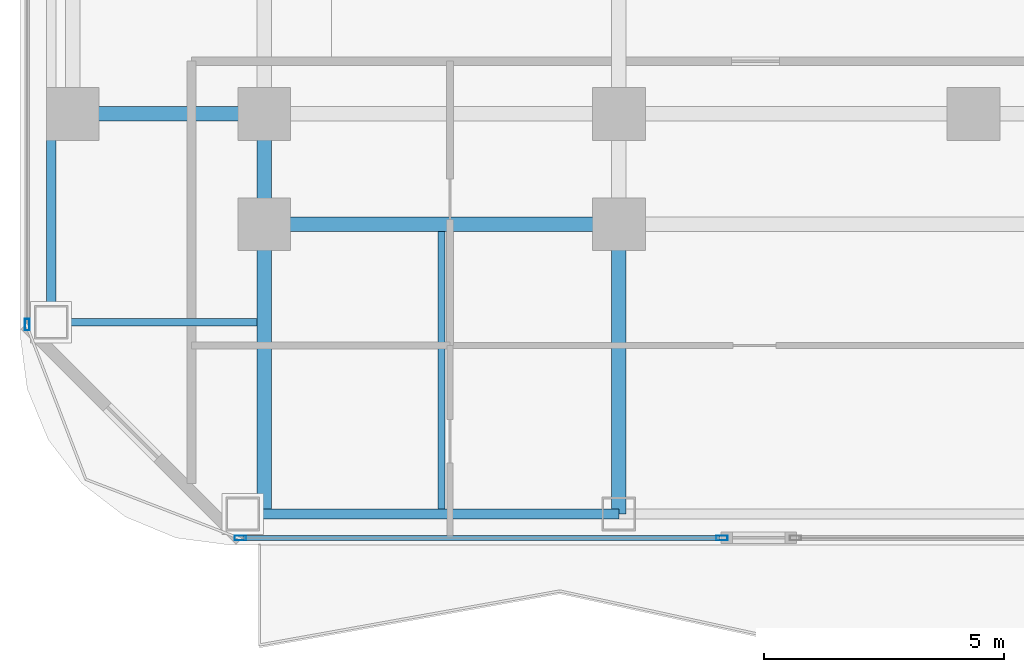
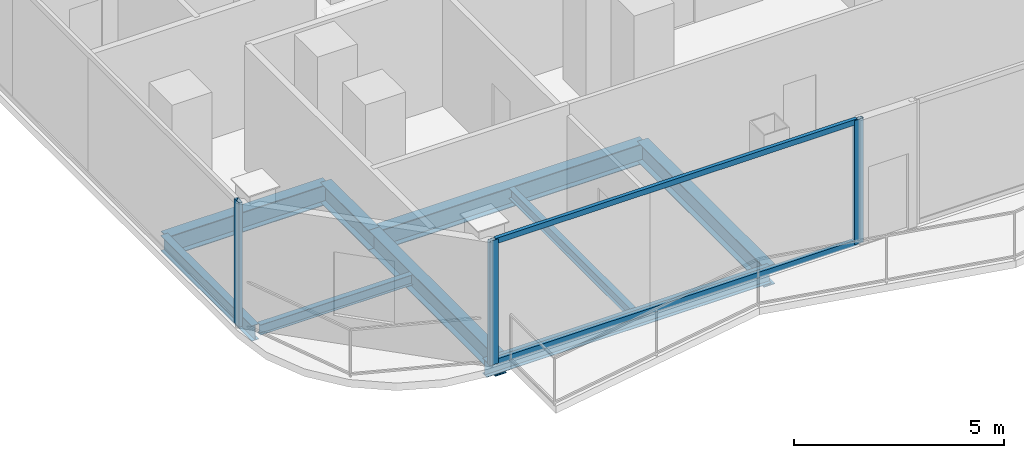
# One storey, part 2 of 27: 9 beams, 5 members, 2 elements without a shape of their own.
"""IFC4 building model written with IfcOpenShell, lengths in metres."""

from ifc_helpers import new_model, si_unit, direction, frame, origin, origin_2d, place, context, subcontext, project, spatial, hollow_rectangle, i_section, extrude, material, layer, layer_set, material_profile, profile_set, type_object, element, aggregate, save


model = new_model("IFC4")

# Units and contexts
model_context = context("Model", 3, precision=1e-05, world=origin(), true_north=direction((0.0, 1.0)))
body_context = subcontext(model_context, "Body", "Model", "MODEL_VIEW")
ifc_project = project(units=[si_unit("LENGTHUNIT", "METRE"), si_unit("AREAUNIT", "SQUARE_METRE"), si_unit("VOLUMEUNIT", "CUBIC_METRE"), si_unit("PLANEANGLEUNIT", "RADIAN"), si_unit("MASSUNIT", "GRAM", prefix="KILO")], contexts=[model_context])

# Site, building, storey
site_placement = place(None, origin())
site = spatial("IfcSite", under=ifc_project, at=site_placement, CompositionType="ELEMENT")
building_placement = place(site_placement, origin())
building = spatial("IfcBuilding", under=site, at=building_placement, Name="Khorvyn Point Tower", CompositionType="ELEMENT")
storey_placement = place(building_placement, frame((0.0, 0.0, 164.10009765625)))
storey = spatial("IfcBuildingStorey", under=building, at=storey_placement, Name="L40", CompositionType="ELEMENT", Elevation=164.10009765625)

# Curtain wall, members
ifc_material_1 = material(Name="Anodised aluminium 6063-T6 and laminated Low-E glass", Category="aluminium")
ifc_layer = layer(ifc_material_1, 0.18994140625)
ifc_layer_set = layer_set([ifc_layer], Name="Stick-Built Acoustic Curtain Wall CW-SYS-03")
curtain_wall_type = type_object("IfcCurtainWallType", Name="Stick-Built Acoustic Curtain Wall CW-SYS-03", PredefinedType="NOTDEFINED", material=ifc_layer_set)
curtain_wall_1_placement = place(storey_placement, origin())
curtain_wall_1 = element("IfcCurtainWall", 1, at=curtain_wall_1_placement, inside=storey, type_object=curtain_wall_type, Name="Curtain Wall", PredefinedType="NOTDEFINED")
ifc_material_2 = material(Name="Anodised aluminium 6063-T6", Category="aluminium")
ifc_material_profile_1 = material_profile(ifc_material_2, hollow_rectangle(XDim=0.10009765625, YDim=0.239990234375, WallThickness=0.0048828125, at=origin_2d()))
ifc_profile_set_1 = profile_set([ifc_material_profile_1], Name="Anodised aluminium 6063-T6 ALU-MUL-100x240")
member_type_1 = type_object("IfcMemberType", Name="Anodised Aluminium 6063-T6 Mullion ALU-MUL-100x240", PredefinedType="MULLION", material=ifc_profile_set_1)
member_1_placement = place(storey_placement, frame((-5.2509765625, -23.64990234375, 0.0), z_axis=(0.0, 0.0, 1.0), x_axis=(0.0, -1.0, 0.0)))
member_1 = element("IfcMember", 2, at=member_1_placement, type_object=member_type_1, Name="Transom", PredefinedType="MULLION", context=body_context, shape_type="SweptSolid", body=[
    extrude(hollow_rectangle(XDim=0.10009765625, YDim=0.239990234375, WallThickness=0.0048828125, at=origin_2d()), origin(), (0.0, 0.0, 1.0), 3.619873046875),
])
member_2_placement = place(storey_placement, frame((-15.300048828125, -23.64990234375, 0.0), z_axis=(0.0, 0.0, 1.0), x_axis=(0.0, -1.0, 0.0)))
member_2 = element("IfcMember", 3, at=member_2_placement, type_object=member_type_1, Name="Transom", PredefinedType="MULLION", context=body_context, shape_type="SweptSolid", body=[
    extrude(hollow_rectangle(XDim=0.10009765625, YDim=0.239990234375, WallThickness=0.0048828125, at=origin_2d()), origin(), (0.0, 0.0, 1.0), 3.619873046875),
])

# Curtain wall, member
curtain_wall_2_placement = place(storey_placement, origin())
curtain_wall_2 = element("IfcCurtainWall", 4, at=curtain_wall_2_placement, inside=storey, type_object=curtain_wall_type, Name="Curtain Wall", PredefinedType="NOTDEFINED")
member_3_placement = place(storey_placement, frame((-19.75, -19.199951171875, 0.0), z_axis=(0.0, 0.0, 1.0), x_axis=(-1.0, 0.0, 0.0)))
member_3 = element("IfcMember", 5, at=member_3_placement, type_object=member_type_1, Name="Transom", PredefinedType="MULLION", context=body_context, shape_type="SweptSolid", body=[
    extrude(hollow_rectangle(XDim=0.10009765625, YDim=0.239990234375, WallThickness=0.0048828125, at=origin_2d()), origin(), (0.0, 0.0, 1.0), 3.619873046875),
])
aggregate(curtain_wall_2, [member_3])

# Member
ifc_material_profile_2 = material_profile(ifc_material_2, hollow_rectangle(XDim=0.10009765625, YDim=0.159912109375, WallThickness=0.00439453125, at=origin_2d()))
ifc_profile_set_2 = profile_set([ifc_material_profile_2], Name="Anodised aluminium 6063-T6 ALU-TRN-100x160")
member_type_2 = type_object("IfcMemberType", Name="Anodised Aluminium 6063-T6 Transom ALU-TRN-100x160", PredefinedType="USERDEFINED", material=ifc_profile_set_2)
member_4_placement = place(storey_placement, frame((-5.301025390625, -23.64990234375, 0.0498046875), z_axis=(-1.0, 0.0, 0.0), x_axis=(0.0, -1.0, 0.0)))
member_4 = element("IfcMember", 6, at=member_4_placement, type_object=member_type_2, Name="Transom", ObjectType="TRANSOM", PredefinedType="USERDEFINED", context=body_context, shape_type="SweptSolid", body=[
    extrude(hollow_rectangle(XDim=0.10009765625, YDim=0.159912109375, WallThickness=0.00439453125, at=origin_2d()), origin(), (0.0, 0.0, 1.0), 9.948974609375),
])

member_5_placement = place(storey_placement, frame((-5.301025390625, -23.64990234375, 3.56982421875), z_axis=(-1.0, 0.0, 0.0), x_axis=(0.0, -1.0, 0.0)))
member_5 = element("IfcMember", 7, at=member_5_placement, type_object=member_type_2, Name="Transom", ObjectType="TRANSOM", PredefinedType="USERDEFINED", context=body_context, shape_type="SweptSolid", body=[
    extrude(hollow_rectangle(XDim=0.10009765625, YDim=0.159912109375, WallThickness=0.00439453125, at=origin_2d()), origin(), (0.0, 0.0, 1.0), 9.948974609375),
])

aggregate(curtain_wall_1, [member_1, member_2, member_4, member_5])

# Beams
ifc_material_3 = material(Name="Steel S355", Category="steel")
ifc_material_profile_3 = material_profile(ifc_material_3, i_section(OverallWidth=0.300048828125, OverallDepth=0.587890625, WebThickness=0.011962890625, FlangeThickness=0.02001953125, at=origin_2d()))
ifc_profile_set_3 = profile_set([ifc_material_profile_3], Name="Steel S355 H588x300x12x20")
beam_type_1 = type_object("IfcBeamType", Name="Steel S355 Beam H588x300x12x20", PredefinedType="BEAM", material=ifc_profile_set_3)
beam_1_placement = place(storey_placement, frame((-19.25, -14.800048828125, -0.51416015625), z_axis=(1.0, 0.0, 0.0), x_axis=(0.0, 1.0, 0.0)))
element("IfcBeam", 8, at=beam_1_placement, inside=storey, type_object=beam_type_1, Name="Beam", PredefinedType="BEAM", context=body_context, shape_type="SweptSolid", body=[
    extrude(i_section(OverallWidth=0.300048828125, OverallDepth=0.587890625, WebThickness=0.011962890625, FlangeThickness=0.02001953125, at=origin_2d()), origin(), (0.0, 0.0, 1.0), 4.449951171875),
])
beam_2_placement = place(storey_placement, frame((-14.800048828125, -17.10009765625, -0.51416015625), z_axis=(1.0, 0.0, 0.0), x_axis=(0.0, 1.0, 0.0)))
element("IfcBeam", 9, at=beam_2_placement, inside=storey, type_object=beam_type_1, Name="Beam", PredefinedType="BEAM", context=body_context, shape_type="SweptSolid", body=[
    extrude(i_section(OverallWidth=0.300048828125, OverallDepth=0.587890625, WebThickness=0.011962890625, FlangeThickness=0.02001953125, at=origin_2d()), origin(), (0.0, 0.0, 1.0), 7.400146484375),
])
beam_3_placement = place(storey_placement, frame((-14.800048828125, -23.14990234375, -0.51416015625), z_axis=(0.0, 1.0, 0.0), x_axis=(-1.0, 0.0, 0.0)))
element("IfcBeam", 10, at=beam_3_placement, inside=storey, type_object=beam_type_1, Name="Beam", PredefinedType="BEAM", context=body_context, shape_type="SweptSolid", body=[
    extrude(i_section(OverallWidth=0.300048828125, OverallDepth=0.587890625, WebThickness=0.011962890625, FlangeThickness=0.02001953125, at=origin_2d()), origin(), (0.0, 0.0, 1.0), 6.0498046875),
])
beam_4_placement = place(storey_placement, frame((-14.800048828125, -17.10009765625, -0.51416015625), z_axis=(0.0, 1.0, 0.0), x_axis=(-1.0, 0.0, 0.0)))
element("IfcBeam", 11, at=beam_4_placement, inside=storey, type_object=beam_type_1, Name="Beam", PredefinedType="BEAM", context=body_context, shape_type="SweptSolid", body=[
    extrude(i_section(OverallWidth=0.300048828125, OverallDepth=0.587890625, WebThickness=0.011962890625, FlangeThickness=0.02001953125, at=origin_2d()), origin(), (0.0, 0.0, 1.0), 2.300048828125),
])
beam_5_placement = place(storey_placement, frame((-7.39990234375, -23.14990234375, -0.51416015625), z_axis=(0.0, 1.0, 0.0), x_axis=(-1.0, 0.0, 0.0)))
element("IfcBeam", 12, at=beam_5_placement, inside=storey, type_object=beam_type_1, Name="Beam", PredefinedType="BEAM", context=body_context, shape_type="SweptSolid", body=[
    extrude(i_section(OverallWidth=0.300048828125, OverallDepth=0.587890625, WebThickness=0.011962890625, FlangeThickness=0.02001953125, at=origin_2d()), origin(), (0.0, 0.0, 1.0), 6.0498046875),
])
ifc_material_profile_4 = material_profile(ifc_material_3, i_section(OverallWidth=0.14990234375, OverallDepth=0.300048828125, WebThickness=0.006591796875, FlangeThickness=0.009033203125, at=origin_2d()))
ifc_profile_set_4 = profile_set([ifc_material_profile_4], Name="Steel S355 H300x150x6.5x9")
beam_type_2 = type_object("IfcBeamType", Name="Steel S355 Joist H300x150x6.5x9", PredefinedType="JOIST", material=ifc_profile_set_4)
beam_6_placement = place(storey_placement, frame((-11.10009765625, -23.050048828125, -0.3701171875), z_axis=(0.0, 1.0, 0.0), x_axis=(-1.0, 0.0, 0.0)))
element("IfcBeam", 13, at=beam_6_placement, inside=storey, type_object=beam_type_2, Name="Beam", PredefinedType="JOIST", context=body_context, shape_type="SweptSolid", body=[
    extrude(i_section(OverallWidth=0.14990234375, OverallDepth=0.300048828125, WebThickness=0.006591796875, FlangeThickness=0.009033203125, at=origin_2d()), origin(), (0.0, 0.0, 1.0), 5.800048828125),
])
beam_7_placement = place(storey_placement, frame((-19.14990234375, -19.14990234375, -0.3701171875), z_axis=(1.0, 0.0, 0.0), x_axis=(0.0, 1.0, 0.0)))
element("IfcBeam", 14, at=beam_7_placement, inside=storey, type_object=beam_type_2, Name="Beam", PredefinedType="JOIST", context=body_context, shape_type="SweptSolid", body=[
    extrude(i_section(OverallWidth=0.14990234375, OverallDepth=0.300048828125, WebThickness=0.006591796875, FlangeThickness=0.009033203125, at=origin_2d()), origin(), (0.0, 0.0, 1.0), 4.199951171875),
])
ifc_material_profile_5 = material_profile(ifc_material_3, i_section(OverallWidth=0.199951171875, OverallDepth=0.449951171875, WebThickness=0.009033203125, FlangeThickness=0.013916015625, at=origin_2d()))
ifc_profile_set_5 = profile_set([ifc_material_profile_5], Name="Steel S355 H450x200x9x14")
beam_type_3 = type_object("IfcBeamType", Name="Steel S355 Spandrel H450x200x9x14", PredefinedType="SPANDREL", material=ifc_profile_set_5)
beam_8_placement = place(storey_placement, frame((-15.25, -23.14990234375, -0.445068359375), z_axis=(1.0, 0.0, 0.0), x_axis=(0.0, 1.0, 0.0)))
element("IfcBeam", 15, at=beam_8_placement, inside=storey, type_object=beam_type_3, Name="Beam", PredefinedType="SPANDREL", context=body_context, shape_type="SweptSolid", body=[
    extrude(i_section(OverallWidth=0.199951171875, OverallDepth=0.449951171875, WebThickness=0.009033203125, FlangeThickness=0.013916015625, at=origin_2d()), origin(), (0.0, 0.0, 1.0), 7.85009765625),
])
beam_9_placement = place(storey_placement, frame((-19.25, -19.14990234375, -0.445068359375), z_axis=(0.0, 1.0, 0.0), x_axis=(-1.0, 0.0, 0.0)))
element("IfcBeam", 16, at=beam_9_placement, inside=storey, type_object=beam_type_3, Name="Beam", PredefinedType="SPANDREL", context=body_context, shape_type="SweptSolid", body=[
    extrude(i_section(OverallWidth=0.199951171875, OverallDepth=0.449951171875, WebThickness=0.009033203125, FlangeThickness=0.013916015625, at=origin_2d()), origin(), (0.0, 0.0, 1.0), 4.349853515625),
])

save(model, "model.ifc")
